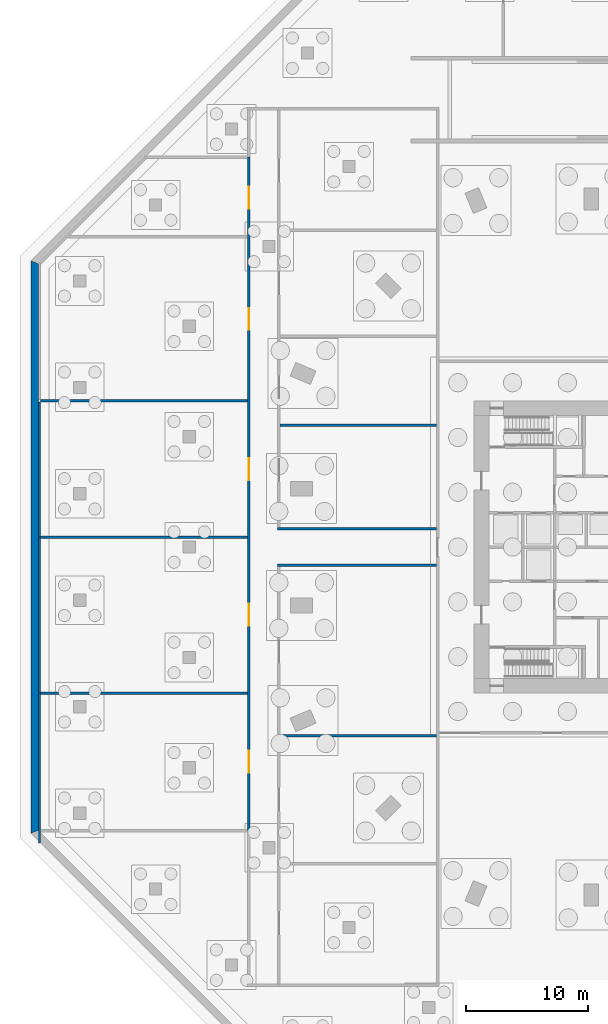
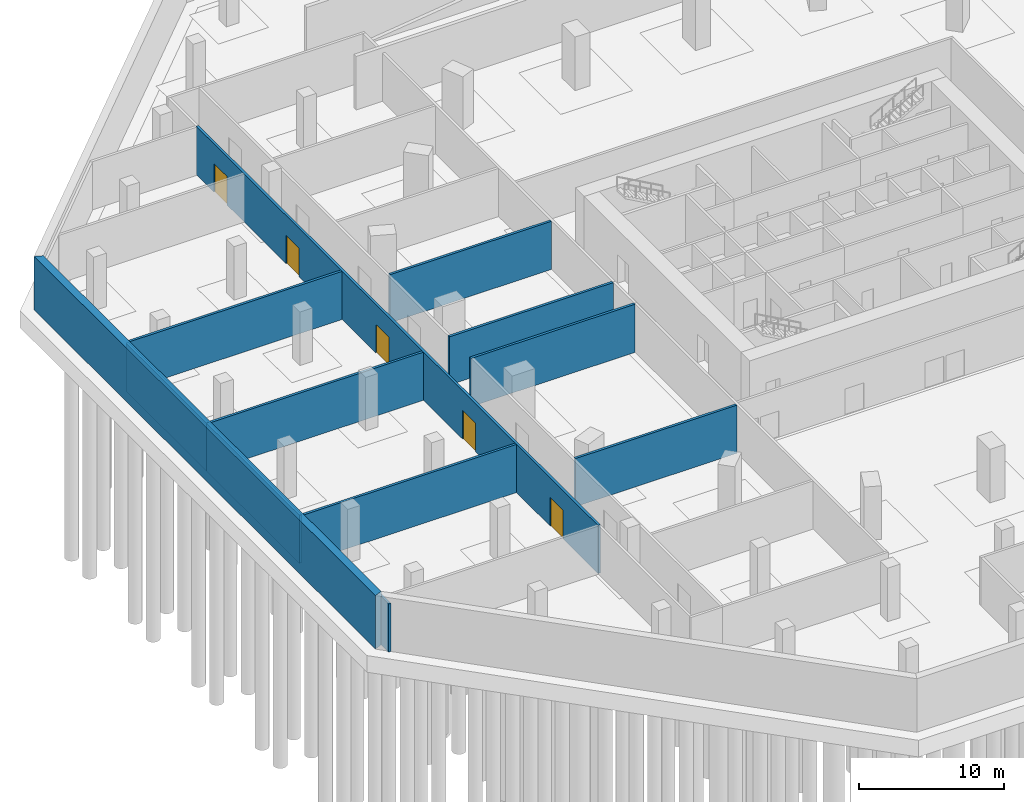
# One storey, part 6 of 14: 12 walls, 5 doors, 5 openings.
"""IFC4 building model written with IfcOpenShell, lengths in metres."""

from ifc_helpers import new_model, si_unit, direction, frame, frame_2d, origin, place, context, subcontext, project, spatial, polyline, rectangle, outline, extrude, material, layer, layer_set, type_object, element, fill, save


model = new_model("IFC4")

# Units and contexts
model_context = context("Model", 3, precision=1e-05, world=origin(), true_north=direction((0.0, 1.0)))
body_context = subcontext(model_context, "Body", "Model", "MODEL_VIEW")
ifc_project = project(units=[si_unit("LENGTHUNIT", "METRE"), si_unit("AREAUNIT", "SQUARE_METRE"), si_unit("VOLUMEUNIT", "CUBIC_METRE"), si_unit("PLANEANGLEUNIT", "RADIAN"), si_unit("MASSUNIT", "GRAM", prefix="KILO")], contexts=[model_context])

# Site, building, storey
site_placement = place(None, origin())
site = spatial("IfcSite", under=ifc_project, at=site_placement, CompositionType="ELEMENT")
building_placement = place(site_placement, origin())
building = spatial("IfcBuilding", under=site, at=building_placement, Name="Msitu Wima Residences", CompositionType="ELEMENT")
storey_placement = place(building_placement, frame((0.0, 0.0, -9.0)))
storey = spatial("IfcBuildingStorey", under=building, at=storey_placement, Name="B2", CompositionType="ELEMENT", Elevation=-9.0)

# Walls
ifc_material_1 = material(Name="Plaster")
ifc_layer_1 = layer(ifc_material_1, 0.011962890625, Name="Plaster")
ifc_material_2 = material(Name="Reinforced concrete blockwork", Category="masonry")
ifc_layer_2 = layer(ifc_material_2, 0.176025390625, Name="Reinforced concrete blockwork")
ifc_layer_3 = layer(ifc_material_1, 0.011962890625, Name="Plaster")
ifc_layer_set_1 = layer_set([ifc_layer_1, ifc_layer_2, ifc_layer_3], Name="Reinforced concrete blockwork")
wall_type_1 = type_object("IfcWallType", Name="Plant and riser wall PL200", PredefinedType="PARTITIONING", material=ifc_layer_set_1)
wall_1_placement = place(storey_placement, frame((-50.10009765625, -24.29052734375, 0.0), z_axis=(0.0, 0.0, 1.0), x_axis=(0.0, 1.0, 0.0)))
element("IfcWall", 1, at=wall_1_placement, inside=storey, type_object=wall_type_1, Name="Plant and riser wall", PredefinedType="PARTITIONING", context=body_context, shape_type="SweptSolid", body=[
    extrude(rectangle(XDim=12.29052734375, YDim=0.199951171875, at=frame_2d((6.145263671875, 0.0))), origin(), (0.0, 0.0, 1.0), 4.048095703125),
])
wall_2_placement = place(storey_placement, frame((-50.0, -12.0, 0.0), z_axis=(0.0, 0.0, 1.0), x_axis=(1.0, 0.0, 0.0)))
element("IfcWall", 2, at=wall_2_placement, inside=storey, type_object=wall_type_1, Name="Plant and riser wall", PredefinedType="PARTITIONING", context=body_context, shape_type="SweptSolid", body=[
    extrude(rectangle(XDim=17.0, YDim=0.199951171875, at=frame_2d((8.5, 0.0))), origin(), (0.0, 0.0, 1.0), 4.048095703125),
])
wall_3_placement = place(storey_placement, frame((-50.10009765625, -11.97998046875, 0.0), z_axis=(0.0, 0.0, 1.0), x_axis=(0.0, 1.0, 0.0)))
element("IfcWall", 3, at=wall_3_placement, inside=storey, type_object=wall_type_1, Name="Plant and riser wall", PredefinedType="PARTITIONING", context=body_context, shape_type="SweptSolid", body=[
    extrude(rectangle(XDim=12.780029296875, YDim=0.199951171875, at=frame_2d((6.39013671875, 0.0))), origin(), (0.0, 0.0, 1.0), 4.048095703125),
])
wall_4_placement = place(storey_placement, frame((-50.199951171875, 0.800048828125, 0.0), z_axis=(0.0, 0.0, 1.0), x_axis=(1.0, 0.0, 0.0)))
element("IfcWall", 4, at=wall_4_placement, inside=storey, type_object=wall_type_1, Name="Plant and riser wall", PredefinedType="PARTITIONING", context=body_context, shape_type="SweptSolid", body=[
    extrude(rectangle(XDim=17.199951171875, YDim=0.199951171875, at=frame_2d((8.60009765625, 0.0))), origin(), (0.0, 0.0, 1.0), 4.048095703125),
])
wall_5_placement = place(storey_placement, frame((-50.10009765625, 0.820068359375, 0.0), z_axis=(0.0, 0.0, 1.0), x_axis=(0.0, 1.0, 0.0)))
element("IfcWall", 5, at=wall_5_placement, inside=storey, type_object=wall_type_1, Name="Plant and riser wall", PredefinedType="PARTITIONING", context=body_context, shape_type="SweptSolid", body=[
    extrude(rectangle(XDim=11.079833984375, YDim=0.199951171875, at=frame_2d((5.5400390625, 0.0))), origin(), (0.0, 0.0, 1.0), 4.048095703125),
])
wall_6_placement = place(storey_placement, frame((-50.0, 12.0, 0.0), z_axis=(0.0, 0.0, 1.0), x_axis=(1.0, 0.0, 0.0)))
element("IfcWall", 6, at=wall_6_placement, inside=storey, type_object=wall_type_1, Name="Plant and riser wall", PredefinedType="PARTITIONING", context=body_context, shape_type="SweptSolid", body=[
    extrude(rectangle(XDim=17.0, YDim=0.199951171875, at=frame_2d((8.5, 0.0))), origin(), (0.0, 0.0, 1.0), 4.048095703125),
])

# Wall, openings, doors
wall_7_placement = place(storey_placement, frame((-32.89990234375, -23.320068359375, 0.0), z_axis=(0.0, 0.0, 1.0), x_axis=(0.0, 1.0, 0.0)))
wall_7 = element("IfcWall", 7, at=wall_7_placement, inside=storey, type_object=wall_type_1, Name="Plant and riser wall", PredefinedType="PARTITIONING", context=body_context, shape_type="SweptSolid", body=[
    extrude(rectangle(XDim=55.340087890625, YDim=0.199951171875, at=frame_2d((27.669921875, 0.0))), origin(), (0.0, 0.0, 1.0), 4.048095703125),
])
opening_1_placement = place(wall_7_placement, frame((4.800048828125, 0.0, 0.0)))
opening_1 = element("IfcOpeningElement", 8, at=opening_1_placement, cuts=wall_7, Name="Opening DB2.029", PredefinedType="OPENING", context=body_context, shape_type="SweptSolid", body=[
    extrude(rectangle(XDim=1.800048828125, YDim=2.39990234375, at=frame_2d((0.89990234375, 1.199951171875))), frame((0.0, 0.10986328125, 0.0), z_axis=(0.0, -1.0, 0.0), x_axis=(1.0, 0.0, 0.0)), (0.0, 0.0, 1.0), 0.219970703125),
])
opening_2_placement = place(wall_7_placement, frame((16.85009765625, 0.0, 0.0)))
opening_2 = element("IfcOpeningElement", 9, at=opening_2_placement, cuts=wall_7, Name="Opening DB2.030", PredefinedType="OPENING", context=body_context, shape_type="SweptSolid", body=[
    extrude(rectangle(XDim=1.800048828125, YDim=2.39990234375, at=frame_2d((0.89990234375, 1.199951171875))), frame((0.0, 0.10986328125, 0.0), z_axis=(0.0, -1.0, 0.0), x_axis=(1.0, 0.0, 0.0)), (0.0, 0.0, 1.0), 0.219970703125),
])
opening_3_placement = place(wall_7_placement, frame((28.800048828125, 0.0, 0.0)))
opening_3 = element("IfcOpeningElement", 10, at=opening_3_placement, cuts=wall_7, Name="Opening DB2.031", PredefinedType="OPENING", context=body_context, shape_type="SweptSolid", body=[
    extrude(rectangle(XDim=1.800048828125, YDim=2.39990234375, at=frame_2d((0.89990234375, 1.199951171875))), frame((0.0, 0.10986328125, 0.0), z_axis=(0.0, -1.0, 0.0), x_axis=(1.0, 0.0, 0.0)), (0.0, 0.0, 1.0), 0.219970703125),
])
opening_4_placement = place(wall_7_placement, frame((41.14990234375, 0.0, 0.0)))
opening_4 = element("IfcOpeningElement", 11, at=opening_4_placement, cuts=wall_7, Name="Opening DB2.032", PredefinedType="OPENING", context=body_context, shape_type="SweptSolid", body=[
    extrude(rectangle(XDim=1.800048828125, YDim=2.39990234375, at=frame_2d((0.89990234375, 1.199951171875))), frame((0.0, 0.10986328125, 0.0), z_axis=(0.0, -1.0, 0.0), x_axis=(1.0, 0.0, 0.0)), (0.0, 0.0, 1.0), 0.219970703125),
])
opening_5_placement = place(wall_7_placement, frame((51.10009765625, 0.0, 0.0)))
opening_5 = element("IfcOpeningElement", 12, at=opening_5_placement, cuts=wall_7, Name="Opening DB2.033", PredefinedType="OPENING", context=body_context, shape_type="SweptSolid", body=[
    extrude(rectangle(XDim=1.800048828125, YDim=2.39990234375, at=frame_2d((0.89990234375, 1.199951171875))), frame((0.0, 0.10986328125, 0.0), z_axis=(0.0, -1.0, 0.0), x_axis=(1.0, 0.0, 0.0)), (0.0, 0.0, 1.0), 0.219970703125),
])
ifc_material_3 = material(Name="Steel door, fire resisting", Category="steel")
door_type = type_object("IfcDoorType", Name="Plant room door D09 1800x2400", OperationType="DOUBLE_DOOR_SINGLE_SWING", PredefinedType="DOOR", material=ifc_material_3)
door_1_placement = place(opening_1_placement, origin())
door_1 = element("IfcDoor", 13, at=door_1_placement, inside=storey, type_object=door_type, Name="Plant room door", OperationType="DOUBLE_DOOR_SINGLE_SWING", OverallHeight=2.39990234375, OverallWidth=1.800048828125, PredefinedType="DOOR", context=body_context, shape_type="SweptSolid", body=[
    extrude(rectangle(XDim=1.800048828125, YDim=2.39990234375, at=frame_2d((0.89990234375, 1.199951171875))), frame((0.0, 0.02490234375, 0.0), z_axis=(0.0, -1.0, 0.0), x_axis=(1.0, 0.0, 0.0)), (0.0, 0.0, 1.0), 0.050048828125),
])
fill(opening_1, door_1)
door_2_placement = place(opening_2_placement, origin())
door_2 = element("IfcDoor", 14, at=door_2_placement, inside=storey, type_object=door_type, Name="Plant room door", OperationType="DOUBLE_DOOR_SINGLE_SWING", OverallHeight=2.39990234375, OverallWidth=1.800048828125, PredefinedType="DOOR", context=body_context, shape_type="SweptSolid", body=[
    extrude(rectangle(XDim=1.800048828125, YDim=2.39990234375, at=frame_2d((0.89990234375, 1.199951171875))), frame((0.0, 0.02490234375, 0.0), z_axis=(0.0, -1.0, 0.0), x_axis=(1.0, 0.0, 0.0)), (0.0, 0.0, 1.0), 0.050048828125),
])
fill(opening_2, door_2)
door_3_placement = place(opening_3_placement, origin())
door_3 = element("IfcDoor", 15, at=door_3_placement, inside=storey, type_object=door_type, Name="Plant room door", OperationType="DOUBLE_DOOR_SINGLE_SWING", OverallHeight=2.39990234375, OverallWidth=1.800048828125, PredefinedType="DOOR", context=body_context, shape_type="SweptSolid", body=[
    extrude(rectangle(XDim=1.800048828125, YDim=2.39990234375, at=frame_2d((0.89990234375, 1.199951171875))), frame((0.0, 0.02490234375, 0.0), z_axis=(0.0, -1.0, 0.0), x_axis=(1.0, 0.0, 0.0)), (0.0, 0.0, 1.0), 0.050048828125),
])
fill(opening_3, door_3)
door_4_placement = place(opening_4_placement, origin())
door_4 = element("IfcDoor", 16, at=door_4_placement, inside=storey, type_object=door_type, Name="Plant room door", OperationType="DOUBLE_DOOR_SINGLE_SWING", OverallHeight=2.39990234375, OverallWidth=1.800048828125, PredefinedType="DOOR", context=body_context, shape_type="SweptSolid", body=[
    extrude(rectangle(XDim=1.800048828125, YDim=2.39990234375, at=frame_2d((0.89990234375, 1.199951171875))), frame((0.0, 0.02490234375, 0.0), z_axis=(0.0, -1.0, 0.0), x_axis=(1.0, 0.0, 0.0)), (0.0, 0.0, 1.0), 0.050048828125),
])
fill(opening_4, door_4)
door_5_placement = place(opening_5_placement, origin())
door_5 = element("IfcDoor", 17, at=door_5_placement, inside=storey, type_object=door_type, Name="Plant room door", OperationType="DOUBLE_DOOR_SINGLE_SWING", OverallHeight=2.39990234375, OverallWidth=1.800048828125, PredefinedType="DOOR", context=body_context, shape_type="SweptSolid", body=[
    extrude(rectangle(XDim=1.800048828125, YDim=2.39990234375, at=frame_2d((0.89990234375, 1.199951171875))), frame((0.0, 0.02490234375, 0.0), z_axis=(0.0, -1.0, 0.0), x_axis=(1.0, 0.0, 0.0)), (0.0, 0.0, 1.0), 0.050048828125),
])
fill(opening_5, door_5)

# Walls
wall_8_placement = place(storey_placement, frame((-30.342529296875, -15.5, 0.0), z_axis=(0.0, 0.0, 1.0), x_axis=(1.0, 0.0, 0.0)))
element("IfcWall", 18, at=wall_8_placement, inside=storey, type_object=wall_type_1, Name="Plant and riser wall", PredefinedType="PARTITIONING", context=body_context, shape_type="SweptSolid", body=[
    extrude(rectangle(XDim=12.842529296875, YDim=0.199951171875, at=frame_2d((6.42138671875, 0.0))), origin(), (0.0, 0.0, 1.0), 4.048095703125),
])
for number, where, z_axis, x_axis, name in (
    (19, (-30.542724609375, -1.5, 0.0), (0.0, 0.0, 1.0), (1.0, 0.0, 0.0), "Plant and riser wall"),
    (20, (-30.542724609375, 1.5, 0.0), (0.0, 0.0, 1.0), (1.0, 0.0, 0.0), "Plant and riser wall"),
):
    element("IfcWall", number, at=place(storey_placement, frame(where, z_axis=z_axis, x_axis=x_axis)), inside=storey, type_object=wall_type_1, Name=name, PredefinedType="PARTITIONING", context=body_context, shape_type="SweptSolid", body=[
        extrude(rectangle(XDim=13.042724609375, YDim=0.199951171875, at=frame_2d((6.521484375, 0.0))), origin(), (0.0, 0.0, 1.0), 4.048095703125),
    ])
wall_9_placement = place(storey_placement, frame((-30.342529296875, 10.0, 0.0), z_axis=(0.0, 0.0, 1.0), x_axis=(1.0, 0.0, 0.0)))
element("IfcWall", 21, at=wall_9_placement, inside=storey, type_object=wall_type_1, Name="Plant and riser wall", PredefinedType="PARTITIONING", context=body_context, shape_type="SweptSolid", body=[
    extrude(rectangle(XDim=12.842529296875, YDim=0.199951171875, at=frame_2d((6.42138671875, 0.0))), origin(), (0.0, 0.0, 1.0), 4.048095703125),
])
ifc_material_4 = material(Name="Concrete C60/75", Category="concrete")
ifc_layer_4 = layer(ifc_material_4, 0.60009765625)
ifc_layer_set_2 = layer_set([ifc_layer_4], Name="Concrete C60/75")
wall_type_2 = type_object("IfcWallType", Name="Retaining wall RW600", PredefinedType="SOLIDWALL", material=ifc_layer_set_2)
wall_10_placement = place(storey_placement, origin())
element("IfcWall", 22, at=wall_10_placement, inside=storey, type_object=wall_type_2, Name="Basement retaining wall W B2", PredefinedType="SOLIDWALL", context=body_context, shape_type="SweptSolid", body=[
    extrude(outline(polyline([(-50.800048828125, 23.5126953125), (-50.800048828125, -23.5126953125), (-50.199951171875, -23.26416015625), (-50.199951171875, 23.26416015625), (-50.800048828125, 23.5126953125)])), origin(), (0.0, 0.0, 1.0), 4.5),
])

save(model, "model.ifc")
